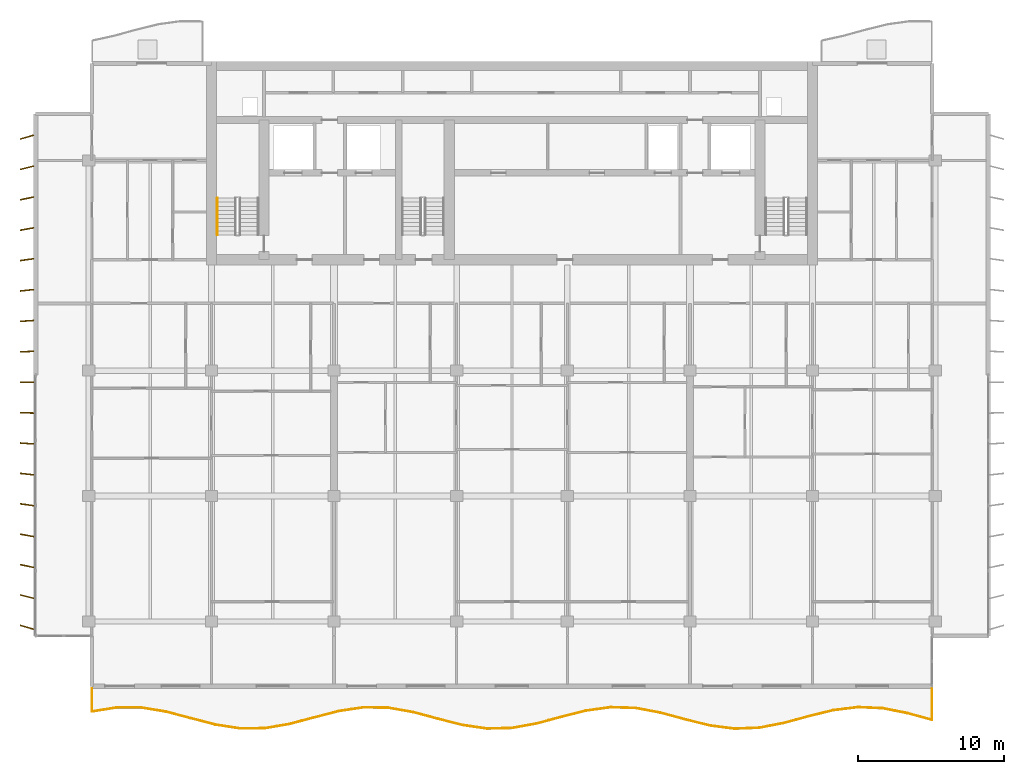
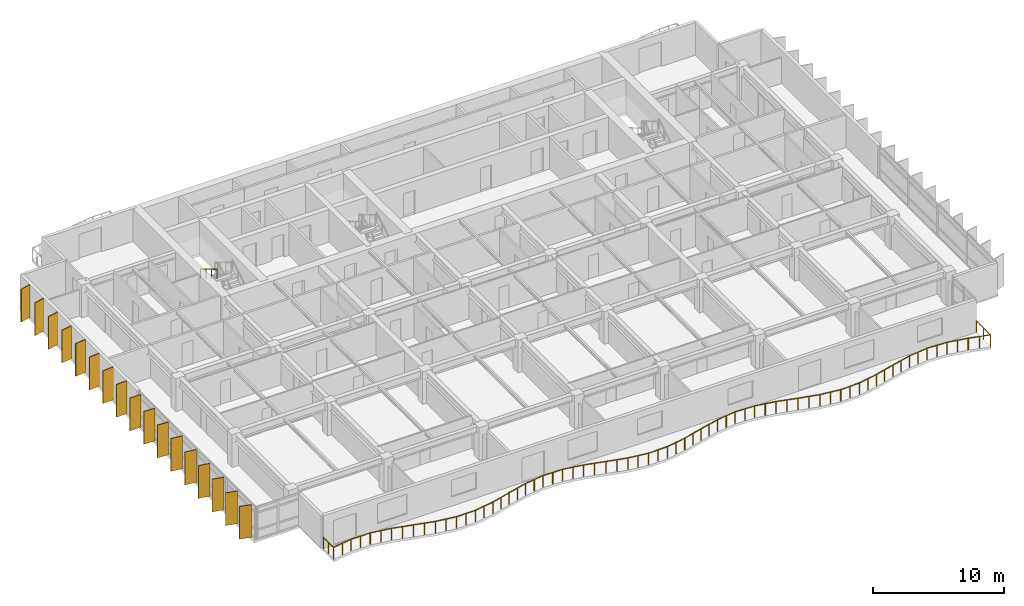
# One storey, part 13 of 16: 17 shading devices, 2 railings.
"""IFC4 building model written with IfcOpenShell, lengths in metres."""

from ifc_helpers import new_model, si_unit, direction, frame, origin, origin_2d, place, context, subcontext, project, spatial, rectangle, circle, extrude, material, material_profile, profile_set, type_object, element, save


model = new_model("IFC4")

# Units and contexts
model_context = context("Model", 3, precision=1e-05, world=origin(), true_north=direction((0.0, 1.0)))
body_context = subcontext(model_context, "Body", "Model", "MODEL_VIEW")
ifc_project = project(units=[si_unit("LENGTHUNIT", "METRE"), si_unit("AREAUNIT", "SQUARE_METRE"), si_unit("VOLUMEUNIT", "CUBIC_METRE"), si_unit("PLANEANGLEUNIT", "RADIAN"), si_unit("MASSUNIT", "GRAM", prefix="KILO")], contexts=[model_context])

# Site, building, storey
site_placement = place(None, origin())
site = spatial("IfcSite", under=ifc_project, at=site_placement, CompositionType="ELEMENT")
building_placement = place(site_placement, origin())
building = spatial("IfcBuilding", under=site, at=building_placement, Name="Caelmar Bay Residences", CompositionType="ELEMENT")
storey_placement = place(building_placement, frame((0.0, 0.0, 211.5)))
storey = spatial("IfcBuildingStorey", under=building, at=storey_placement, Name="L59", CompositionType="ELEMENT", Elevation=211.5)

# Railings
ifc_material_1 = material(Name="Anodised bronze handrail with laminated hurricane glass infill", Category="glass")
railing_type_1 = type_object("IfcRailingType", Name="RL-BAL-1100", PredefinedType="BALUSTRADE", material=ifc_material_1)
railing_1_placement = place(storey_placement, frame((10.10009765625, 7.60009765625, 0.0)))
element("IfcRailing", 1, at=railing_1_placement, inside=storey, type_object=railing_type_1, Name="L59 south Balcony Balustrade", PredefinedType="BALUSTRADE", context=body_context, shape_type="SweptSolid", body=[
    extrude(circle(Radius=0.02392578125, at=origin_2d()), frame((0.0, 0.0, 1.076171875), z_axis=(0.0, -1.0, 0.0), x_axis=(1.0, 0.0, 0.0)), (0.0, 0.0, 1.0), 1.579345703125),
    extrude(circle(Radius=0.02392578125, at=origin_2d()), frame((0.0, -1.579345703125, 1.076171875), z_axis=(0.987200688163, 0.159482918494, 0.0), x_axis=(-0.159482918494, 0.987200688163, 0.0)), (0.0, 0.0, 1.0), 1.716064453125),
    extrude(circle(Radius=0.02392578125, at=origin_2d()), frame((1.694091796875, -1.3056640625, 1.076171875), z_axis=(0.999997663546, -0.002161689718, 0.0), x_axis=(0.002161689718, 0.999997663546, 0.0)), (0.0, 0.0, 1.0), 1.694091796875),
    extrude(circle(Radius=0.02392578125, at=origin_2d()), frame((3.38818359375, -1.309326171875, 1.076171875), z_axis=(0.986657806254, -0.162807780395, 0.0), x_axis=(0.162807780395, 0.986657806254, 0.0)), (0.0, 0.0, 1.0), 1.717041015625),
    extrude(circle(Radius=0.02392578125, at=origin_2d()), frame((5.082275390625, -1.5888671875, 1.076171875), z_axis=(0.96690465537, -0.255137977228, 0.0), x_axis=(0.255137977228, 0.96690465537, 0.0)), (0.0, 0.0, 1.0), 1.752197265625),
    extrude(circle(Radius=0.02392578125, at=origin_2d()), frame((6.7763671875, -2.035888671875, 1.076171875), z_axis=(0.967759300858, -0.25187682625, 0.0), x_axis=(0.25187682625, 0.967759300858, 0.0)), (0.0, 0.0, 1.0), 1.75048828125),
    extrude(circle(Radius=0.02392578125, at=origin_2d()), frame((8.470458984375, -2.476806640625, 1.076171875), z_axis=(0.988103488903, -0.153790426288, 0.0), x_axis=(0.153790426288, 0.988103488903, 0.0)), (0.0, 0.0, 1.0), 1.714599609375),
    extrude(circle(Radius=0.02392578125, at=origin_2d()), frame((10.16455078125, -2.740478515625, 1.076171875), z_axis=(0.999954769162, 0.009511026771, 0.0), x_axis=(-0.009511026771, 0.999954769162, 0.0)), (0.0, 0.0, 1.0), 1.694091796875),
    extrude(circle(Radius=0.02392578125, at=origin_2d()), frame((11.858642578125, -2.724365234375, 1.076171875), z_axis=(0.985705945967, 0.168474888589, 0.0), x_axis=(-0.168474888589, 0.985705945967, 0.0)), (0.0, 0.0, 1.0), 1.71875),
    extrude(circle(Radius=0.02392578125, at=origin_2d()), frame((13.552734375, -2.434814453125, 1.076171875), z_axis=(0.966465688071, 0.256795782248, 0.0), x_axis=(-0.256795782248, 0.966465688071, 0.0)), (0.0, 0.0, 1.0), 1.753173828125),
    extrude(circle(Radius=0.02392578125, at=origin_2d()), frame((15.2470703125, -1.984619140625, 1.076171875), z_axis=(0.968335023776, 0.249654324475, 0.0), x_axis=(-0.249654324475, 0.968335023776, 0.0)), (0.0, 0.0, 1.0), 1.74951171875),
    extrude(circle(Radius=0.02392578125, at=origin_2d()), frame((16.941162109375, -1.5478515625, 1.076171875), z_axis=(0.989016707165, 0.147803764999, 0.0), x_axis=(-0.147803764999, 0.989016707165, 0.0)), (0.0, 0.0, 1.0), 1.712890625),
    extrude(circle(Radius=0.02392578125, at=origin_2d()), frame((18.63525390625, -1.294677734375, 1.076171875), z_axis=(0.99986029846, -0.016714770806, 0.0), x_axis=(0.016714770806, 0.99986029846, 0.0)), (0.0, 0.0, 1.0), 1.6943359375),
    extrude(circle(Radius=0.02392578125, at=origin_2d()), frame((20.329345703125, -1.322998046875, 1.076171875), z_axis=(0.984796414822, -0.173712467465, 0.0), x_axis=(0.173712467465, 0.984796414822, 0.0)), (0.0, 0.0, 1.0), 1.72021484375),
    extrude(circle(Radius=0.02392578125, at=origin_2d()), frame((22.0234375, -1.621826171875, 1.076171875), z_axis=(0.965971035188, -0.258650264214, 0.0), x_axis=(0.258650264214, 0.965971035188, 0.0)), (0.0, 0.0, 1.0), 1.753662109375),
    extrude(circle(Radius=0.02392578125, at=origin_2d()), frame((23.717529296875, -2.075439453125, 1.076171875), z_axis=(0.968973234248, -0.247165675835, 0.0), x_axis=(0.247165675835, 0.968973234248, 0.0)), (0.0, 0.0, 1.0), 1.748291015625),
    extrude(circle(Radius=0.02392578125, at=origin_2d()), frame((25.41162109375, -2.507568359375, 1.076171875), z_axis=(0.989875177467, -0.141940596855, 0.0), x_axis=(0.141940596855, 0.989875177467, 0.0)), (0.0, 0.0, 1.0), 1.71142578125),
    extrude(circle(Radius=0.02392578125, at=origin_2d()), frame((27.105712890625, -2.75048828125, 1.076171875), z_axis=(0.99971051867, 0.024059901516, 0.0), x_axis=(-0.024059901516, 0.99971051867, 0.0)), (0.0, 0.0, 1.0), 1.694580078125),
    extrude(circle(Radius=0.02392578125, at=origin_2d()), frame((28.7998046875, -2.709716796875, 1.076171875), z_axis=(0.983835864254, 0.179072589214, 0.0), x_axis=(-0.179072589214, 0.983835864254, 0.0)), (0.0, 0.0, 1.0), 1.721923828125),
    extrude(circle(Radius=0.02392578125, at=origin_2d()), frame((30.493896484375, -2.4013671875, 1.076171875), z_axis=(0.965587538221, 0.26007826905, 0.0), x_axis=(-0.26007826905, 0.965587538221, 0.0)), (0.0, 0.0, 1.0), 1.75439453125),
    extrude(circle(Radius=0.02392578125, at=origin_2d()), frame((32.18798828125, -1.945068359375, 1.076171875), z_axis=(0.96964737028, 0.244507622189, 0.0), x_axis=(-0.244507622189, 0.96964737028, 0.0)), (0.0, 0.0, 1.0), 1.747314453125),
    extrude(circle(Radius=0.02392578125, at=origin_2d()), frame((33.88232421875, -1.517822265625, 1.076171875), z_axis=(0.990719497926, 0.135922317629, 0.0), x_axis=(-0.135922317629, 0.990719497926, 0.0)), (0.0, 0.0, 1.0), 1.7099609375),
    extrude(circle(Radius=0.02392578125, at=origin_2d()), frame((35.576416015625, -1.285400390625, 1.076171875), z_axis=(0.999511373188, -0.031257237063, 0.0), x_axis=(0.031257237063, 0.999511373188, 0.0)), (0.0, 0.0, 1.0), 1.69482421875),
    extrude(circle(Radius=0.02392578125, at=origin_2d()), frame((37.2705078125, -1.33837890625, 1.076171875), z_axis=(0.982873790424, -0.1842799829, 0.0), x_axis=(0.1842799829, 0.982873790424, 0.0)), (0.0, 0.0, 1.0), 1.7236328125),
    extrude(circle(Radius=0.02392578125, at=origin_2d()), frame((38.964599609375, -1.656005859375, 1.076171875), z_axis=(0.965202237959, -0.261504569443, 0.0), x_axis=(0.261504569443, 0.965202237959, 0.0)), (0.0, 0.0, 1.0), 1.755126953125),
    extrude(circle(Radius=0.02392578125, at=origin_2d()), frame((40.65869140625, -2.114990234375, 1.076171875), z_axis=(0.970331396698, -0.241778784391, 0.0), x_axis=(0.241778784391, 0.970331396698, 0.0)), (0.0, 0.0, 1.0), 1.745849609375),
    extrude(circle(Radius=0.02392578125, at=origin_2d()), frame((42.352783203125, -2.537109375, 1.076171875), z_axis=(0.991586063992, -0.129449131697, 0.0), x_axis=(0.129449131697, 0.991586063992, 0.0)), (0.0, 0.0, 1.0), 1.708740234375),
    extrude(circle(Radius=0.02392578125, at=origin_2d()), frame((44.047119140625, -2.75830078125, 1.076171875), z_axis=(0.999260536356, 0.038449713677, 0.0), x_axis=(-0.038449713677, 0.999260536356, 0.0)), (0.0, 0.0, 1.0), 1.6953125),
    extrude(circle(Radius=0.02392578125, at=origin_2d()), frame((45.7412109375, -2.693115234375, 1.076171875), z_axis=(0.981938757923, 0.189199037231, 0.0), x_axis=(-0.189199037231, 0.981938757923, 0.0)), (0.0, 0.0, 1.0), 1.725341796875),
    extrude(circle(Radius=0.02392578125, at=origin_2d()), frame((47.435302734375, -2.36669921875, 1.076171875), z_axis=(0.964920891049, 0.262540804482, 0.0), x_axis=(-0.262540804482, 0.964920891049, 0.0)), (0.0, 0.0, 1.0), 1.755615234375),
    extrude(circle(Radius=0.02392578125, at=origin_2d()), frame((49.12939453125, -1.90576171875, 1.076171875), z_axis=(0.971049346553, 0.238878978897, 0.0), x_axis=(-0.238878978897, 0.971049346553, 0.0)), (0.0, 0.0, 1.0), 1.74462890625),
    extrude(circle(Radius=0.02392578125, at=origin_2d()), frame((50.823486328125, -1.489013671875, 1.076171875), z_axis=(0.992372197132, 0.123277825901, 0.0), x_axis=(-0.123277825901, 0.992372197132, 0.0)), (0.0, 0.0, 1.0), 1.70703125),
    extrude(circle(Radius=0.02392578125, at=origin_2d()), frame((52.517578125, -1.278564453125, 1.076171875), z_axis=(0.998958124993, -0.045636219286, 0.0), x_axis=(0.045636219286, 0.998958124993, 0.0)), (0.0, 0.0, 1.0), 1.69580078125),
    extrude(circle(Radius=0.02392578125, at=origin_2d()), frame((54.211669921875, -1.35595703125, 1.076171875), z_axis=(0.98098097861, -0.194103888692, 0.0), x_axis=(0.194103888692, 0.98098097861, 0.0)), (0.0, 0.0, 1.0), 1.72705078125),
    extrude(circle(Radius=0.02392578125, at=origin_2d()), frame((55.90576171875, -1.691162109375, 1.076171875), z_axis=(0.964638596913, -0.263576131971, 0.0), x_axis=(0.263576131971, 0.964638596913, 0.0)), (0.0, 0.0, 1.0), 1.756103515625),
    extrude(circle(Radius=0.02392578125, at=origin_2d()), frame((57.599853515625, -2.154052734375, 1.076171875), z_axis=(0.0, 1.0, 0.0), x_axis=(-1.0, 0.0, 0.0)), (0.0, 0.0, 1.0), 2.154052734375),
    extrude(circle(Radius=0.02099609375, at=origin_2d()), origin(), (0.0, 0.0, 1.0), 1.052001953125),
    extrude(circle(Radius=0.02099609375, at=origin_2d()), frame((0.0, -0.78955078125, 0.0)), (0.0, 0.0, 1.0), 1.052001953125),
    extrude(circle(Radius=0.02099609375, at=origin_2d()), frame((0.0, -1.579345703125, 0.0)), (0.0, 0.0, 1.0), 1.052001953125),
    extrude(circle(Radius=0.02099609375, at=origin_2d()), frame((0.84716796875, -1.4423828125, 0.0)), (0.0, 0.0, 1.0), 1.052001953125),
    extrude(circle(Radius=0.02099609375, at=origin_2d()), frame((1.694091796875, -1.3056640625, 0.0)), (0.0, 0.0, 1.0), 1.052001953125),
    extrude(circle(Radius=0.02099609375, at=origin_2d()), frame((2.541015625, -1.3076171875, 0.0)), (0.0, 0.0, 1.0), 1.052001953125),
    extrude(circle(Radius=0.02099609375, at=origin_2d()), frame((3.38818359375, -1.309326171875, 0.0)), (0.0, 0.0, 1.0), 1.052001953125),
    extrude(circle(Radius=0.02099609375, at=origin_2d()), frame((4.2353515625, -1.44921875, 0.0)), (0.0, 0.0, 1.0), 1.052001953125),
    extrude(circle(Radius=0.02099609375, at=origin_2d()), frame((5.082275390625, -1.5888671875, 0.0)), (0.0, 0.0, 1.0), 1.052001953125),
    extrude(circle(Radius=0.02099609375, at=origin_2d()), frame((5.92919921875, -1.8125, 0.0)), (0.0, 0.0, 1.0), 1.052001953125),
    extrude(circle(Radius=0.02099609375, at=origin_2d()), frame((6.7763671875, -2.035888671875, 0.0)), (0.0, 0.0, 1.0), 1.052001953125),
    extrude(circle(Radius=0.02099609375, at=origin_2d()), frame((7.62353515625, -2.25634765625, 0.0)), (0.0, 0.0, 1.0), 1.052001953125),
    extrude(circle(Radius=0.02099609375, at=origin_2d()), frame((8.470458984375, -2.476806640625, 0.0)), (0.0, 0.0, 1.0), 1.052001953125),
    extrude(circle(Radius=0.02099609375, at=origin_2d()), frame((9.3173828125, -2.608642578125, 0.0)), (0.0, 0.0, 1.0), 1.052001953125),
    extrude(circle(Radius=0.02099609375, at=origin_2d()), frame((10.16455078125, -2.740478515625, 0.0)), (0.0, 0.0, 1.0), 1.052001953125),
    extrude(circle(Radius=0.02099609375, at=origin_2d()), frame((11.01171875, -2.732421875, 0.0)), (0.0, 0.0, 1.0), 1.052001953125),
    extrude(circle(Radius=0.02099609375, at=origin_2d()), frame((11.858642578125, -2.724365234375, 0.0)), (0.0, 0.0, 1.0), 1.052001953125),
    extrude(circle(Radius=0.02099609375, at=origin_2d()), frame((12.70556640625, -2.57958984375, 0.0)), (0.0, 0.0, 1.0), 1.052001953125),
    extrude(circle(Radius=0.02099609375, at=origin_2d()), frame((13.552734375, -2.434814453125, 0.0)), (0.0, 0.0, 1.0), 1.052001953125),
    extrude(circle(Radius=0.02099609375, at=origin_2d()), frame((14.39990234375, -2.209716796875, 0.0)), (0.0, 0.0, 1.0), 1.052001953125),
    extrude(circle(Radius=0.02099609375, at=origin_2d()), frame((15.2470703125, -1.984619140625, 0.0)), (0.0, 0.0, 1.0), 1.052001953125),
    extrude(circle(Radius=0.02099609375, at=origin_2d()), frame((16.09423828125, -1.76611328125, 0.0)), (0.0, 0.0, 1.0), 1.052001953125),
    extrude(circle(Radius=0.02099609375, at=origin_2d()), frame((16.941162109375, -1.5478515625, 0.0)), (0.0, 0.0, 1.0), 1.052001953125),
    extrude(circle(Radius=0.02099609375, at=origin_2d()), frame((17.7880859375, -1.42138671875, 0.0)), (0.0, 0.0, 1.0), 1.052001953125),
    extrude(circle(Radius=0.02099609375, at=origin_2d()), frame((18.63525390625, -1.294677734375, 0.0)), (0.0, 0.0, 1.0), 1.052001953125),
    extrude(circle(Radius=0.02099609375, at=origin_2d()), frame((19.482421875, -1.308837890625, 0.0)), (0.0, 0.0, 1.0), 1.052001953125),
    extrude(circle(Radius=0.02099609375, at=origin_2d()), frame((20.329345703125, -1.322998046875, 0.0)), (0.0, 0.0, 1.0), 1.052001953125),
    extrude(circle(Radius=0.02099609375, at=origin_2d()), frame((21.17626953125, -1.472412109375, 0.0)), (0.0, 0.0, 1.0), 1.052001953125),
    extrude(circle(Radius=0.02099609375, at=origin_2d()), frame((22.0234375, -1.621826171875, 0.0)), (0.0, 0.0, 1.0), 1.052001953125),
    extrude(circle(Radius=0.02099609375, at=origin_2d()), frame((22.87060546875, -1.8486328125, 0.0)), (0.0, 0.0, 1.0), 1.052001953125),
    extrude(circle(Radius=0.02099609375, at=origin_2d()), frame((23.717529296875, -2.075439453125, 0.0)), (0.0, 0.0, 1.0), 1.052001953125),
    extrude(circle(Radius=0.02099609375, at=origin_2d()), frame((24.564453125, -2.29150390625, 0.0)), (0.0, 0.0, 1.0), 1.052001953125),
    extrude(circle(Radius=0.02099609375, at=origin_2d()), frame((25.41162109375, -2.507568359375, 0.0)), (0.0, 0.0, 1.0), 1.052001953125),
    extrude(circle(Radius=0.02099609375, at=origin_2d()), frame((26.2587890625, -2.62890625, 0.0)), (0.0, 0.0, 1.0), 1.052001953125),
    extrude(circle(Radius=0.02099609375, at=origin_2d()), frame((27.105712890625, -2.75048828125, 0.0)), (0.0, 0.0, 1.0), 1.052001953125),
    extrude(circle(Radius=0.02099609375, at=origin_2d()), frame((27.95263671875, -2.72998046875, 0.0)), (0.0, 0.0, 1.0), 1.052001953125),
    extrude(circle(Radius=0.02099609375, at=origin_2d()), frame((28.7998046875, -2.709716796875, 0.0)), (0.0, 0.0, 1.0), 1.052001953125),
    extrude(circle(Radius=0.02099609375, at=origin_2d()), frame((29.64697265625, -2.5556640625, 0.0)), (0.0, 0.0, 1.0), 1.052001953125),
    extrude(circle(Radius=0.02099609375, at=origin_2d()), frame((30.493896484375, -2.4013671875, 0.0)), (0.0, 0.0, 1.0), 1.052001953125),
    extrude(circle(Radius=0.02099609375, at=origin_2d()), frame((31.3408203125, -2.17333984375, 0.0)), (0.0, 0.0, 1.0), 1.052001953125),
    extrude(circle(Radius=0.02099609375, at=origin_2d()), frame((32.18798828125, -1.945068359375, 0.0)), (0.0, 0.0, 1.0), 1.052001953125),
    extrude(circle(Radius=0.02099609375, at=origin_2d()), frame((33.03515625, -1.7314453125, 0.0)), (0.0, 0.0, 1.0), 1.052001953125),
    extrude(circle(Radius=0.02099609375, at=origin_2d()), frame((33.88232421875, -1.517822265625, 0.0)), (0.0, 0.0, 1.0), 1.052001953125),
    extrude(circle(Radius=0.02099609375, at=origin_2d()), frame((34.7294921875, -1.401611328125, 0.0)), (0.0, 0.0, 1.0), 1.052001953125),
    extrude(circle(Radius=0.02099609375, at=origin_2d()), frame((35.576416015625, -1.285400390625, 0.0)), (0.0, 0.0, 1.0), 1.052001953125),
    extrude(circle(Radius=0.02099609375, at=origin_2d()), frame((36.42333984375, -1.31201171875, 0.0)), (0.0, 0.0, 1.0), 1.052001953125),
    extrude(circle(Radius=0.02099609375, at=origin_2d()), frame((37.2705078125, -1.33837890625, 0.0)), (0.0, 0.0, 1.0), 1.052001953125),
    extrude(circle(Radius=0.02099609375, at=origin_2d()), frame((38.11767578125, -1.4970703125, 0.0)), (0.0, 0.0, 1.0), 1.052001953125),
    extrude(circle(Radius=0.02099609375, at=origin_2d()), frame((38.964599609375, -1.656005859375, 0.0)), (0.0, 0.0, 1.0), 1.052001953125),
    extrude(circle(Radius=0.02099609375, at=origin_2d()), frame((39.8115234375, -1.885498046875, 0.0)), (0.0, 0.0, 1.0), 1.052001953125),
    extrude(circle(Radius=0.02099609375, at=origin_2d()), frame((40.65869140625, -2.114990234375, 0.0)), (0.0, 0.0, 1.0), 1.052001953125),
    extrude(circle(Radius=0.02099609375, at=origin_2d()), frame((41.505859375, -2.326171875, 0.0)), (0.0, 0.0, 1.0), 1.052001953125),
    extrude(circle(Radius=0.02099609375, at=origin_2d()), frame((42.352783203125, -2.537109375, 0.0)), (0.0, 0.0, 1.0), 1.052001953125),
    extrude(circle(Radius=0.02099609375, at=origin_2d()), frame((43.199951171875, -2.647705078125, 0.0)), (0.0, 0.0, 1.0), 1.052001953125),
    extrude(circle(Radius=0.02099609375, at=origin_2d()), frame((44.047119140625, -2.75830078125, 0.0)), (0.0, 0.0, 1.0), 1.052001953125),
    extrude(circle(Radius=0.02099609375, at=origin_2d()), frame((44.89404296875, -2.7255859375, 0.0)), (0.0, 0.0, 1.0), 1.052001953125),
    extrude(circle(Radius=0.02099609375, at=origin_2d()), frame((45.7412109375, -2.693115234375, 0.0)), (0.0, 0.0, 1.0), 1.052001953125),
    extrude(circle(Radius=0.02099609375, at=origin_2d()), frame((46.58837890625, -2.52978515625, 0.0)), (0.0, 0.0, 1.0), 1.052001953125),
    extrude(circle(Radius=0.02099609375, at=origin_2d()), frame((47.435302734375, -2.36669921875, 0.0)), (0.0, 0.0, 1.0), 1.052001953125),
    extrude(circle(Radius=0.02099609375, at=origin_2d()), frame((48.2822265625, -2.13623046875, 0.0)), (0.0, 0.0, 1.0), 1.052001953125),
    extrude(circle(Radius=0.02099609375, at=origin_2d()), frame((49.12939453125, -1.90576171875, 0.0)), (0.0, 0.0, 1.0), 1.052001953125),
    extrude(circle(Radius=0.02099609375, at=origin_2d()), frame((49.9765625, -1.697265625, 0.0)), (0.0, 0.0, 1.0), 1.052001953125),
    extrude(circle(Radius=0.02099609375, at=origin_2d()), frame((50.823486328125, -1.489013671875, 0.0)), (0.0, 0.0, 1.0), 1.052001953125),
    extrude(circle(Radius=0.02099609375, at=origin_2d()), frame((51.67041015625, -1.3837890625, 0.0)), (0.0, 0.0, 1.0), 1.052001953125),
    extrude(circle(Radius=0.02099609375, at=origin_2d()), frame((52.517578125, -1.278564453125, 0.0)), (0.0, 0.0, 1.0), 1.052001953125),
    extrude(circle(Radius=0.02099609375, at=origin_2d()), frame((53.36474609375, -1.3173828125, 0.0)), (0.0, 0.0, 1.0), 1.052001953125),
    extrude(circle(Radius=0.02099609375, at=origin_2d()), frame((54.211669921875, -1.35595703125, 0.0)), (0.0, 0.0, 1.0), 1.052001953125),
    extrude(circle(Radius=0.02099609375, at=origin_2d()), frame((55.05859375, -1.5234375, 0.0)), (0.0, 0.0, 1.0), 1.052001953125),
    extrude(circle(Radius=0.02099609375, at=origin_2d()), frame((55.90576171875, -1.691162109375, 0.0)), (0.0, 0.0, 1.0), 1.052001953125),
    extrude(circle(Radius=0.02099609375, at=origin_2d()), frame((56.7529296875, -1.922607421875, 0.0)), (0.0, 0.0, 1.0), 1.052001953125),
    extrude(circle(Radius=0.02099609375, at=origin_2d()), frame((57.599853515625, -2.154052734375, 0.0)), (0.0, 0.0, 1.0), 1.052001953125),
    extrude(circle(Radius=0.02099609375, at=origin_2d()), frame((57.599853515625, -1.0771484375, 0.0)), (0.0, 0.0, 1.0), 1.052001953125),
    extrude(circle(Radius=0.02099609375, at=origin_2d()), frame((57.599853515625, 0.0, 0.0)), (0.0, 0.0, 1.0), 1.052001953125),
])
ifc_material_2 = material(Name="Brushed bronze stainless-steel tubular handrail 900 mm", Category="steel")
railing_type_2 = type_object("IfcRailingType", Name="RL-HND-900", PredefinedType="HANDRAIL", material=ifc_material_2)
railing_2_placement = place(storey_placement, frame((18.699951171875, 41.219970703125, 1.81494140625)))
element("IfcRailing", 2, at=railing_2_placement, inside=storey, type_object=railing_type_2, Name="L59 ST1 stair handrail 2", PredefinedType="HANDRAIL", context=body_context, shape_type="SweptSolid", body=[
    extrude(circle(Radius=0.02392578125, at=origin_2d()), frame((0.0, 0.0, 0.8759765625), z_axis=(0.0, -0.86152411907, 0.507716645641), x_axis=(1.0, 0.0, 0.0)), (0.0, 0.0, 1.0), 2.925048828125),
    extrude(circle(Radius=0.02099609375, at=origin_2d()), origin(), (0.0, 0.0, 1.0), 0.851806640625),
    extrude(circle(Radius=0.02099609375, at=origin_2d()), frame((0.0, -0.840087890625, 0.4951171875)), (0.0, 0.0, 1.0), 0.851806640625),
    extrude(circle(Radius=0.02099609375, at=origin_2d()), frame((0.0, -1.679931640625, 0.989990234375)), (0.0, 0.0, 1.0), 0.851806640625),
    extrude(circle(Radius=0.02099609375, at=origin_2d()), frame((0.0, -2.52001953125, 1.485107421875)), (0.0, 0.0, 1.0), 0.851806640625),
])

# Shading devices
ifc_material_3 = material(Name="Anodised architectural bronze aluminium 6063-T6", Category="aluminium")
ifc_material_profile = material_profile(ifc_material_3, rectangle(XDim=0.074951171875, YDim=0.949951171875, at=origin_2d()), Name="BRONZE-FIN-75X950")
ifc_profile_set = profile_set([ifc_material_profile], Name="Anodised architectural bronze aluminium 6063-T6")
shading_device_type = type_object("IfcShadingDeviceType", Name="SHD-FIN-950", PredefinedType="USERDEFINED", material=ifc_profile_set)
for number, where, z_axis, x_axis, name in (
    (3, (5.64990234375, 11.800048828125, 0.0), (0.0, 0.0, 1.0), (0.275637355817, 0.961261695938, 0.0), "L59 West Bronze Solar Fin 1"),
    (4, (5.64990234375, 13.89990234375, 0.0), (0.0, 0.0, 1.0), (0.2419218956, 0.970295726276, 0.0), "L59 West Bronze Solar Fin 2"),
    (5, (5.64990234375, 16.0, 0.0), (0.0, 0.0, 1.0), (0.207911690818, 0.978147600734, 0.0), "L59 West Bronze Solar Fin 3"),
    (6, (5.64990234375, 18.10009765625, 0.0), (0.0, 0.0, 1.0), (0.173648177667, 0.984807753012, 0.0), "L59 West Bronze Solar Fin 4"),
    (7, (5.64990234375, 20.199951171875, 0.0), (0.0, 0.0, 1.0), (0.13917310096, 0.990268068742, 0.0), "L59 West Bronze Solar Fin 5"),
    (8, (5.64990234375, 22.300048828125, 0.0), (0.0, 0.0, 1.0), (0.104528463268, 0.994521895368, 0.0), "L59 West Bronze Solar Fin 6"),
    (9, (5.64990234375, 24.39990234375, 0.0), (0.0, 0.0, 1.0), (0.069756473744, 0.99756405026, 0.0), "L59 West Bronze Solar Fin 7"),
    (10, (5.64990234375, 26.5, 0.0), (0.0, 0.0, 1.0), (0.034899496703, 0.999390827019, 0.0), "L59 West Bronze Solar Fin 8"),
    (11, (5.64990234375, 28.60009765625, 0.0), (0.0, 0.0, 1.0), (0.0, 1.0, 0.0), "L59 West Bronze Solar Fin 9"),
    (12, (5.64990234375, 30.699951171875, 0.0), (0.0, 0.0, 1.0), (-0.034899496703, 0.999390827019, 0.0), "L59 West Bronze Solar Fin 10"),
    (13, (5.64990234375, 32.800048828125, 0.0), (0.0, 0.0, 1.0), (-0.069756473744, 0.99756405026, 0.0), "L59 West Bronze Solar Fin 11"),
    (14, (5.64990234375, 34.89990234375, 0.0), (0.0, 0.0, 1.0), (-0.104528463268, 0.994521895368, 0.0), "L59 West Bronze Solar Fin 12"),
    (15, (5.64990234375, 37.0, 0.0), (0.0, 0.0, 1.0), (-0.13917310096, 0.990268068742, 0.0), "L59 West Bronze Solar Fin 13"),
    (16, (5.64990234375, 39.10009765625, 0.0), (0.0, 0.0, 1.0), (-0.173648177667, 0.984807753012, 0.0), "L59 West Bronze Solar Fin 14"),
    (17, (5.64990234375, 41.199951171875, 0.0), (0.0, 0.0, 1.0), (-0.207911690818, 0.978147600734, 0.0), "L59 West Bronze Solar Fin 15"),
    (18, (5.64990234375, 43.300048828125, 0.0), (0.0, 0.0, 1.0), (-0.2419218956, 0.970295726276, 0.0), "L59 West Bronze Solar Fin 16"),
    (19, (5.64990234375, 45.39990234375, 0.0), (0.0, 0.0, 1.0), (-0.275637355817, 0.961261695938, 0.0), "L59 West Bronze Solar Fin 17"),
):
    element("IfcShadingDevice", number, at=place(storey_placement, frame(where, z_axis=z_axis, x_axis=x_axis)), inside=storey, type_object=shading_device_type, Name=name, ObjectType="FIN", PredefinedType="USERDEFINED", context=body_context, shape_type="SweptSolid", body=[
        extrude(rectangle(XDim=0.074951171875, YDim=0.949951171875, at=origin_2d()), origin(), (0.0, 0.0, 1.0), 3.050048828125),
    ])

save(model, "model.ifc")
